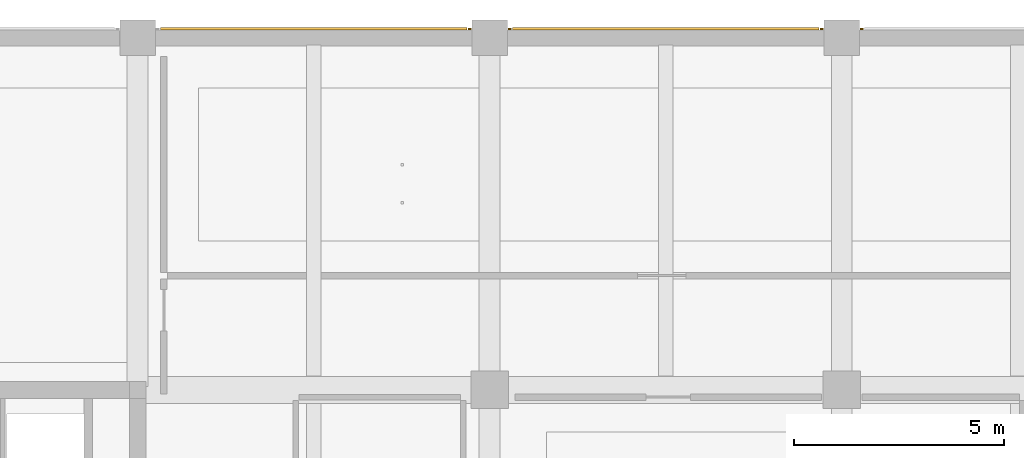
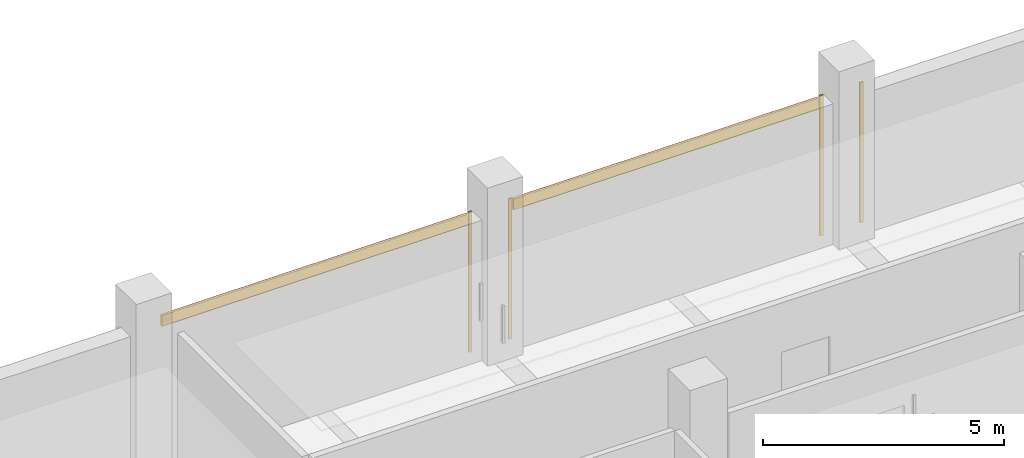
# One storey, part 34 of 36: 6 coverings.
"""IFC4 building model written with IfcOpenShell, lengths in metres."""

from ifc_helpers import new_model, si_unit, direction, frame, origin, origin_2d, place, context, subcontext, project, spatial, rectangle, extrude, material, layer, layer_set, type_object, element, save


model = new_model("IFC4")

# Units and contexts
model_context = context("Model", 3, precision=1e-05, world=origin(), true_north=direction((0.0, 1.0)))
body_context = subcontext(model_context, "Body", "Model", "MODEL_VIEW")
ifc_project = project(units=[si_unit("LENGTHUNIT", "METRE"), si_unit("AREAUNIT", "SQUARE_METRE"), si_unit("VOLUMEUNIT", "CUBIC_METRE"), si_unit("PLANEANGLEUNIT", "RADIAN"), si_unit("MASSUNIT", "GRAM", prefix="KILO")], contexts=[model_context])

# Site, building, storey
site_placement = place(None, origin())
site = spatial("IfcSite", under=ifc_project, at=site_placement, CompositionType="ELEMENT")
building_placement = place(site_placement, origin())
building = spatial("IfcBuilding", under=site, at=building_placement, Name="Telukmera Botanical Conservatory", CompositionType="ELEMENT")
storey_placement = place(building_placement, frame((0.0, 0.0, 24.0)))
storey = spatial("IfcBuildingStorey", under=building, at=storey_placement, Name="L05", CompositionType="ELEMENT", Elevation=24.0)

# Coverings
ifc_material_1 = material(Name="Granite-faced precast concrete C40/50", Category="masonry")
ifc_layer_1 = layer(ifc_material_1, 0.0400390625)
ifc_layer_set_1 = layer_set([ifc_layer_1], Name="Granite-faced precast concrete C40/50")
covering_type_1 = type_object("IfcCoveringType", Name="Granite Precast Column Pier Reveal Casing", PredefinedType="CLADDING", material=ifc_layer_set_1)
for number, where, z_axis, x_axis, name in (
    (1, (75.123046875, 43.010009765625, 0.0), (0.0, 0.0, 1.0), (1.0, 0.0, 0.0), "Granite Pier Reveal V4:L05:N3 R"),
    (2, (76.076904296875, 43.010009765625, 0.0), (0.0, 0.0, 1.0), (1.0, 0.0, 0.0), "Granite Pier Reveal V4:L05:N4 L"),
    (3, (83.52294921875, 43.010009765625, 0.0), (0.0, 0.0, 1.0), (1.0, 0.0, 0.0), "Granite Pier Reveal V4:L05:N4 R"),
    (4, (84.47705078125, 43.010009765625, 0.0), (0.0, 0.0, 1.0), (1.0, 0.0, 0.0), "Granite Pier Reveal V4:L05:N5 L"),
):
    element("IfcCovering", number, at=place(storey_placement, frame(where, z_axis=z_axis, x_axis=x_axis)), inside=storey, type_object=covering_type_1, Name=name, PredefinedType="CLADDING", context=body_context, shape_type="SweptSolid", body=[
        extrude(rectangle(XDim=0.080078125, YDim=0.0400390625, at=origin_2d()), origin(), (0.0, 0.0, 1.0), 3.550048828125),
    ])
ifc_material_2 = material(Name="Terracotta-faced precast concrete C40/50", Category="masonry")
ifc_layer_2 = layer(ifc_material_2, 0.06005859375)
ifc_layer_set_2 = layer_set([ifc_layer_2], Name="Terracotta-faced precast concrete C40/50")
covering_type_2 = type_object("IfcCoveringType", Name="Polychrome Terracotta Facade Band Cladding", PredefinedType="CLADDING", material=ifc_layer_set_2)
for number, where, z_axis, x_axis, name in (
    (5, (71.39990234375, 43.02001953125, 3.22998046875), (0.0, 0.0, 1.0), (1.0, 0.0, 0.0), "Polychrome Terracotta Band V4:L05:N3"),
    (6, (79.800048828125, 43.02001953125, 3.22998046875), (0.0, 0.0, 1.0), (1.0, 0.0, 0.0), "Polychrome Terracotta Band V4:L05:N4"),
):
    element("IfcCovering", number, at=place(storey_placement, frame(where, z_axis=z_axis, x_axis=x_axis)), inside=storey, type_object=covering_type_2, Name=name, PredefinedType="CLADDING", context=body_context, shape_type="SweptSolid", body=[
        extrude(rectangle(XDim=7.305908203125, YDim=0.06005859375, at=origin_2d()), origin(), (0.0, 0.0, 1.0), 0.280029296875),
    ])

save(model, "model.ifc")
